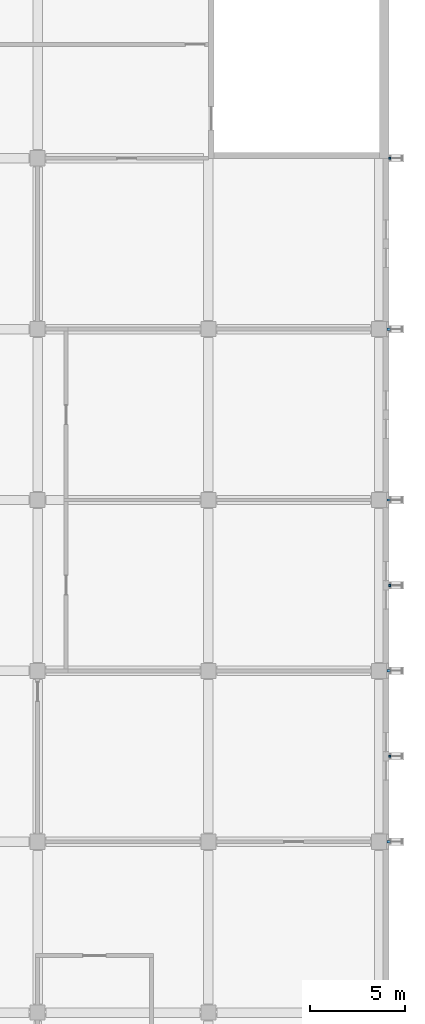
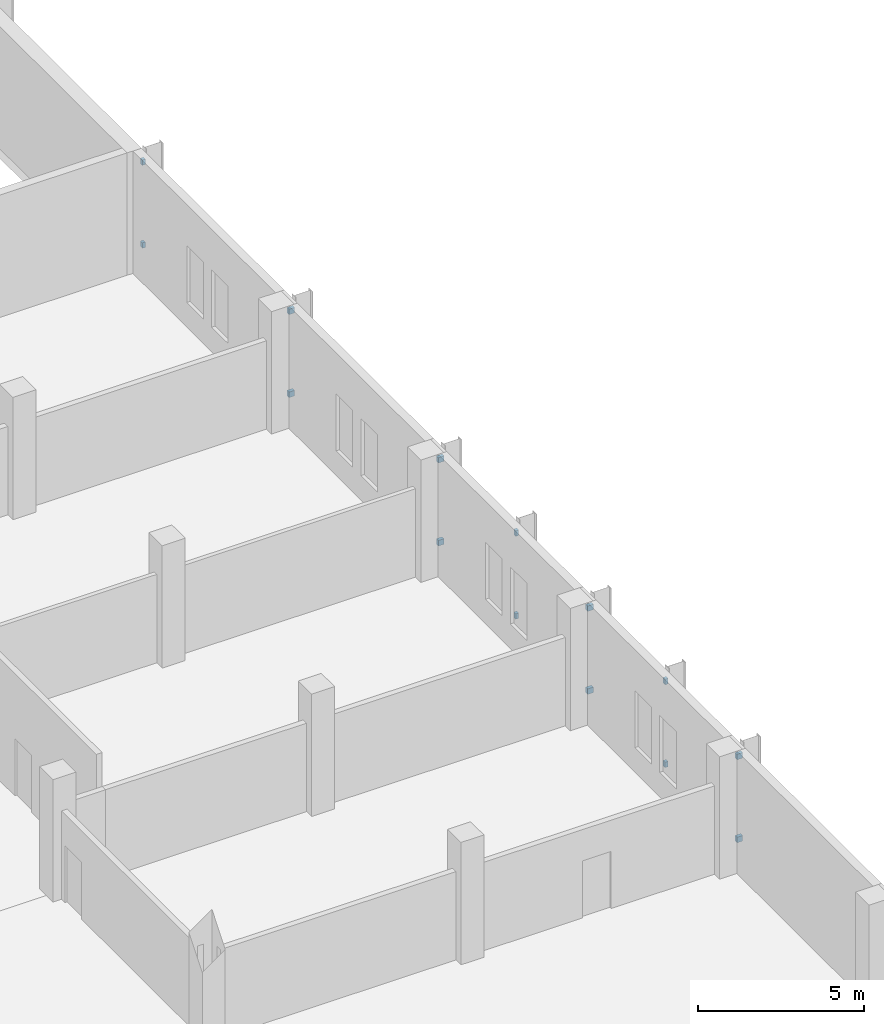
# One storey, part 130 of 168: 14 discrete accessories.
"""IFC4 building model written with IfcOpenShell, lengths in metres."""

from ifc_helpers import new_model, si_unit, direction, frame, origin, origin_2d, place, context, subcontext, project, spatial, rectangle, extrude, material, type_object, element, save


model = new_model("IFC4")

# Units and contexts
model_context = context("Model", 3, precision=1e-05, world=origin(), true_north=direction((0.0, 1.0)))
body_context = subcontext(model_context, "Body", "Model", "MODEL_VIEW")
ifc_project = project(units=[si_unit("LENGTHUNIT", "METRE"), si_unit("AREAUNIT", "SQUARE_METRE"), si_unit("VOLUMEUNIT", "CUBIC_METRE"), si_unit("PLANEANGLEUNIT", "RADIAN"), si_unit("MASSUNIT", "GRAM", prefix="KILO")], contexts=[model_context])

# Site, building, storey
site_placement = place(None, origin())
site = spatial("IfcSite", under=ifc_project, at=site_placement, CompositionType="ELEMENT")
building_placement = place(site_placement, origin())
building = spatial("IfcBuilding", under=site, at=building_placement, Name="Silverbay Arena", CompositionType="ELEMENT")
storey_placement = place(building_placement, frame((0.0, 0.0, 7.0)))
storey = spatial("IfcBuildingStorey", under=building, at=storey_placement, Name="L01", CompositionType="ELEMENT", Elevation=7.0)

# Discrete accessories
ifc_material = material(Name="Steel S355", Category="steel")
discrete_accessory_type = type_object("IfcDiscreteAccessoryType", Name="Steel bracket plate", PredefinedType="BRACKET", material=ifc_material)
for number, where, z_axis, x_axis, name in (
    (1, (234.5, 90.0, 0.85009765625), (0.0, 0.0, 1.0), (1.0, 0.0, 0.0), "Fin bracket"),
    (2, (234.5, 90.0, 3.89990234375), (0.0, 0.0, 1.0), (1.0, 0.0, 0.0), "Fin bracket"),
):
    element("IfcDiscreteAccessory", number, at=place(storey_placement, frame(where, z_axis=z_axis, x_axis=x_axis)), inside=storey, type_object=discrete_accessory_type, Name=name, PredefinedType="BRACKET", context=body_context, shape_type="SweptSolid", body=[
        extrude(rectangle(XDim=0.199951171875, YDim=0.1201171875, at=origin_2d()), origin(), (0.0, 0.0, 1.0), 0.199951171875),
    ])
for number, where, z_axis, x_axis, name in (
    (3, (234.550048828125, 94.5, 0.85009765625), (0.0, 0.0, 1.0), (1.0, 0.0, 0.0), "Fin bracket"),
    (4, (234.550048828125, 94.5, 3.89990234375), (0.0, 0.0, 1.0), (1.0, 0.0, 0.0), "Fin bracket"),
):
    element("IfcDiscreteAccessory", number, at=place(storey_placement, frame(where, z_axis=z_axis, x_axis=x_axis)), inside=storey, type_object=discrete_accessory_type, Name=name, PredefinedType="BRACKET", context=body_context, shape_type="SweptSolid", body=[
        extrude(rectangle(XDim=0.10009765625, YDim=0.1201171875, at=origin_2d()), origin(), (0.0, 0.0, 1.0), 0.199951171875),
    ])
for number, where, z_axis, x_axis, name in (
    (5, (234.5, 99.0, 0.85009765625), (0.0, 0.0, 1.0), (1.0, 0.0, 0.0), "Fin bracket"),
    (6, (234.5, 99.0, 3.89990234375), (0.0, 0.0, 1.0), (1.0, 0.0, 0.0), "Fin bracket"),
):
    element("IfcDiscreteAccessory", number, at=place(storey_placement, frame(where, z_axis=z_axis, x_axis=x_axis)), inside=storey, type_object=discrete_accessory_type, Name=name, PredefinedType="BRACKET", context=body_context, shape_type="SweptSolid", body=[
        extrude(rectangle(XDim=0.199951171875, YDim=0.1201171875, at=origin_2d()), origin(), (0.0, 0.0, 1.0), 0.199951171875),
    ])
for number, where, z_axis, x_axis, name in (
    (7, (234.550048828125, 103.5, 0.85009765625), (0.0, 0.0, 1.0), (1.0, 0.0, 0.0), "Fin bracket"),
    (8, (234.550048828125, 103.5, 3.89990234375), (0.0, 0.0, 1.0), (1.0, 0.0, 0.0), "Fin bracket"),
):
    element("IfcDiscreteAccessory", number, at=place(storey_placement, frame(where, z_axis=z_axis, x_axis=x_axis)), inside=storey, type_object=discrete_accessory_type, Name=name, PredefinedType="BRACKET", context=body_context, shape_type="SweptSolid", body=[
        extrude(rectangle(XDim=0.10009765625, YDim=0.1201171875, at=origin_2d()), origin(), (0.0, 0.0, 1.0), 0.199951171875),
    ])
for number, where, z_axis, x_axis, name in (
    (9, (234.5, 108.0, 0.85009765625), (0.0, 0.0, 1.0), (1.0, 0.0, 0.0), "Fin bracket"),
    (10, (234.5, 108.0, 3.89990234375), (0.0, 0.0, 1.0), (1.0, 0.0, 0.0), "Fin bracket"),
    (11, (234.5, 117.0, 0.85009765625), (0.0, 0.0, 1.0), (1.0, 0.0, 0.0), "Fin bracket"),
    (12, (234.5, 117.0, 3.89990234375), (0.0, 0.0, 1.0), (1.0, 0.0, 0.0), "Fin bracket"),
):
    element("IfcDiscreteAccessory", number, at=place(storey_placement, frame(where, z_axis=z_axis, x_axis=x_axis)), inside=storey, type_object=discrete_accessory_type, Name=name, PredefinedType="BRACKET", context=body_context, shape_type="SweptSolid", body=[
        extrude(rectangle(XDim=0.199951171875, YDim=0.1201171875, at=origin_2d()), origin(), (0.0, 0.0, 1.0), 0.199951171875),
    ])
for number, where, z_axis, x_axis, name in (
    (13, (234.550048828125, 126.0, 0.85009765625), (0.0, 0.0, 1.0), (1.0, 0.0, 0.0), "Fin bracket"),
    (14, (234.550048828125, 126.0, 3.89990234375), (0.0, 0.0, 1.0), (1.0, 0.0, 0.0), "Fin bracket"),
):
    element("IfcDiscreteAccessory", number, at=place(storey_placement, frame(where, z_axis=z_axis, x_axis=x_axis)), inside=storey, type_object=discrete_accessory_type, Name=name, PredefinedType="BRACKET", context=body_context, shape_type="SweptSolid", body=[
        extrude(rectangle(XDim=0.10009765625, YDim=0.1201171875, at=origin_2d()), origin(), (0.0, 0.0, 1.0), 0.199951171875),
    ])

save(model, "model.ifc")
